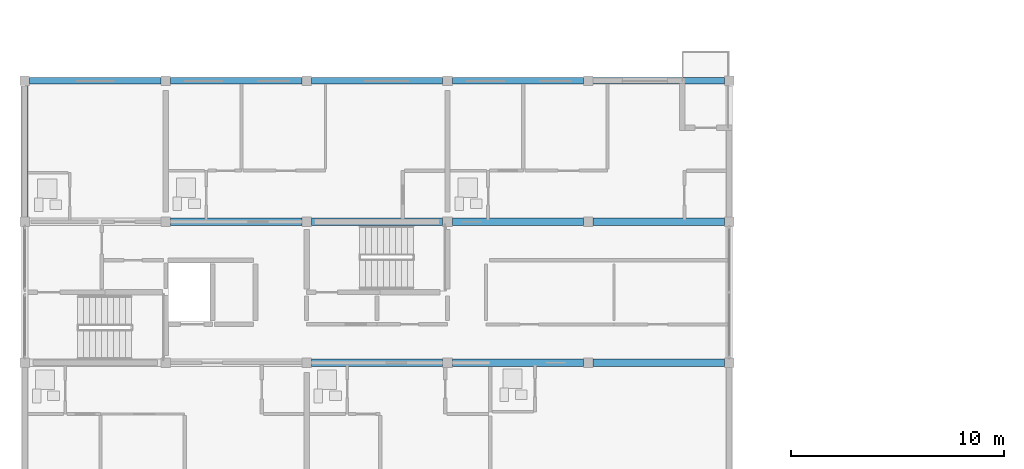
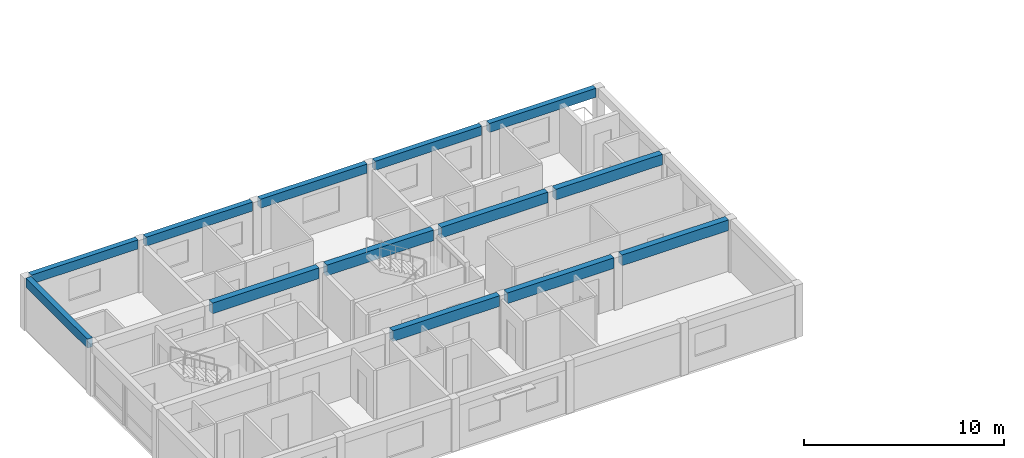
# One storey, part 10 of 37: 13 beams.
"""IFC4 building model written with IfcOpenShell, lengths in metres."""

from ifc_helpers import new_model, si_unit, direction, frame, origin, origin_2d, place, context, subcontext, project, spatial, rectangle, extrude, material, material_profile, profile_set, type_object, element, save


model = new_model("IFC4")

# Units and contexts
model_context = context("Model", 3, precision=1e-05, world=origin(), true_north=direction((0.0, 1.0)))
body_context = subcontext(model_context, "Body", "Model", "MODEL_VIEW")
ifc_project = project(units=[si_unit("LENGTHUNIT", "METRE"), si_unit("AREAUNIT", "SQUARE_METRE"), si_unit("VOLUMEUNIT", "CUBIC_METRE"), si_unit("PLANEANGLEUNIT", "RADIAN"), si_unit("MASSUNIT", "GRAM", prefix="KILO")], contexts=[model_context])

# Site, building, storey
site_placement = place(None, origin())
site = spatial("IfcSite", under=ifc_project, at=site_placement, CompositionType="ELEMENT")
building_placement = place(site_placement, origin())
building = spatial("IfcBuilding", under=site, at=building_placement, Name="Kernevlak Ridge Housing Community", CompositionType="ELEMENT")
storey_placement = place(building_placement, frame((0.0, 0.0, 37.199951171875)))
storey = spatial("IfcBuildingStorey", under=building, at=storey_placement, Name="L11", CompositionType="ELEMENT", Elevation=37.199951171875)

# Beams
ifc_material = material(Name="Concrete C35/45", Category="concrete")
ifc_material_profile_1 = material_profile(ifc_material, rectangle(XDim=0.35009765625, YDim=0.64990234375, at=origin_2d()), Name="RC 350x650")
ifc_profile_set_1 = profile_set([ifc_material_profile_1], Name="Concrete C35/45")
beam_type_1 = type_object("IfcBeamType", Name="B-02", PredefinedType="BEAM", material=ifc_profile_set_1)
beam_1_placement = place(storey_placement, frame((29.02490234375, 82.60009765625, 2.875), z_axis=(1.0, 0.0, 0.0), x_axis=(0.0, 1.0, 0.0)))
element("IfcBeam", 1, at=beam_1_placement, inside=storey, type_object=beam_type_1, Name="Beam B-02 L11 350", PredefinedType="BEAM", context=body_context, shape_type="SweptSolid", body=[
    extrude(rectangle(XDim=0.35009765625, YDim=0.64990234375, at=origin_2d()), origin(), (0.0, 0.0, 1.0), 6.150146484375),
])
for number, where, z_axis, x_axis, name in (
    (2, (35.625, 82.60009765625, 2.875), (1.0, 0.0, 0.0), (0.0, 1.0, 0.0), "Beam B-02 L11 351"),
    (3, (42.22509765625, 82.60009765625, 2.875), (1.0, 0.0, 0.0), (0.0, 1.0, 0.0), "Beam B-02 L11 352"),
    (4, (22.425048828125, 89.199951171875, 2.875), (1.0, 0.0, 0.0), (0.0, 1.0, 0.0), "Beam B-02 L11 354"),
):
    element("IfcBeam", number, at=place(storey_placement, frame(where, z_axis=z_axis, x_axis=x_axis)), inside=storey, type_object=beam_type_1, Name=name, PredefinedType="BEAM", context=body_context, shape_type="SweptSolid", body=[
        extrude(rectangle(XDim=0.35009765625, YDim=0.64990234375, at=origin_2d()), origin(), (0.0, 0.0, 1.0), 6.14990234375),
    ])
beam_2_placement = place(storey_placement, frame((29.02490234375, 89.199951171875, 2.875), z_axis=(1.0, 0.0, 0.0), x_axis=(0.0, 1.0, 0.0)))
element("IfcBeam", 5, at=beam_2_placement, inside=storey, type_object=beam_type_1, Name="Beam B-02 L11 355", PredefinedType="BEAM", context=body_context, shape_type="SweptSolid", body=[
    extrude(rectangle(XDim=0.35009765625, YDim=0.64990234375, at=origin_2d()), origin(), (0.0, 0.0, 1.0), 6.150146484375),
])
for number, where, z_axis, x_axis, name in (
    (6, (35.625, 89.199951171875, 2.875), (1.0, 0.0, 0.0), (0.0, 1.0, 0.0), "Beam B-02 L11 356"),
    (7, (42.22509765625, 89.199951171875, 2.875), (1.0, 0.0, 0.0), (0.0, 1.0, 0.0), "Beam B-02 L11 357"),
):
    element("IfcBeam", number, at=place(storey_placement, frame(where, z_axis=z_axis, x_axis=x_axis)), inside=storey, type_object=beam_type_1, Name=name, PredefinedType="BEAM", context=body_context, shape_type="SweptSolid", body=[
        extrude(rectangle(XDim=0.35009765625, YDim=0.64990234375, at=origin_2d()), origin(), (0.0, 0.0, 1.0), 6.14990234375),
    ])
ifc_material_profile_2 = material_profile(ifc_material, rectangle(XDim=0.300048828125, YDim=0.550048828125, at=origin_2d()), Name="RC 300x550")
ifc_profile_set_2 = profile_set([ifc_material_profile_2], Name="Concrete C35/45")
beam_type_2 = type_object("IfcBeamType", Name="SP-01", PredefinedType="SPANDREL", material=ifc_profile_set_2)
beam_3_placement = place(storey_placement, frame((15.824951171875, 95.800048828125, 2.925048828125), z_axis=(1.0, 0.0, 0.0), x_axis=(0.0, 1.0, 0.0)))
element("IfcBeam", 8, at=beam_3_placement, inside=storey, type_object=beam_type_2, Name="Beam SP-01 L11 358", PredefinedType="SPANDREL", context=body_context, shape_type="SweptSolid", body=[
    extrude(rectangle(XDim=0.300048828125, YDim=0.550048828125, at=origin_2d()), origin(), (0.0, 0.0, 1.0), 6.150146484375),
])
beam_4_placement = place(storey_placement, frame((22.425048828125, 95.800048828125, 2.925048828125), z_axis=(1.0, 0.0, 0.0), x_axis=(0.0, 1.0, 0.0)))
element("IfcBeam", 9, at=beam_4_placement, inside=storey, type_object=beam_type_2, Name="Beam SP-01 L11 359", PredefinedType="SPANDREL", context=body_context, shape_type="SweptSolid", body=[
    extrude(rectangle(XDim=0.300048828125, YDim=0.550048828125, at=origin_2d()), origin(), (0.0, 0.0, 1.0), 6.14990234375),
])
beam_5_placement = place(storey_placement, frame((29.02490234375, 95.800048828125, 2.925048828125), z_axis=(1.0, 0.0, 0.0), x_axis=(0.0, 1.0, 0.0)))
element("IfcBeam", 10, at=beam_5_placement, inside=storey, type_object=beam_type_2, Name="Beam SP-01 L11 360", PredefinedType="SPANDREL", context=body_context, shape_type="SweptSolid", body=[
    extrude(rectangle(XDim=0.300048828125, YDim=0.550048828125, at=origin_2d()), origin(), (0.0, 0.0, 1.0), 6.150146484375),
])
for number, where, z_axis, x_axis, name in (
    (11, (35.625, 95.800048828125, 2.925048828125), (1.0, 0.0, 0.0), (0.0, 1.0, 0.0), "Beam SP-01 L11 361"),
    (12, (42.22509765625, 95.800048828125, 2.925048828125), (1.0, 0.0, 0.0), (0.0, 1.0, 0.0), "Beam SP-01 L11 362"),
    (13, (15.60009765625, 89.425048828125, 2.925048828125), (0.0, 1.0, 0.0), (-1.0, 0.0, 0.0), "Beam SP-01 L11 365"),
):
    element("IfcBeam", number, at=place(storey_placement, frame(where, z_axis=z_axis, x_axis=x_axis)), inside=storey, type_object=beam_type_2, Name=name, PredefinedType="SPANDREL", context=body_context, shape_type="SweptSolid", body=[
        extrude(rectangle(XDim=0.300048828125, YDim=0.550048828125, at=origin_2d()), origin(), (0.0, 0.0, 1.0), 6.14990234375),
    ])

save(model, "model.ifc")
